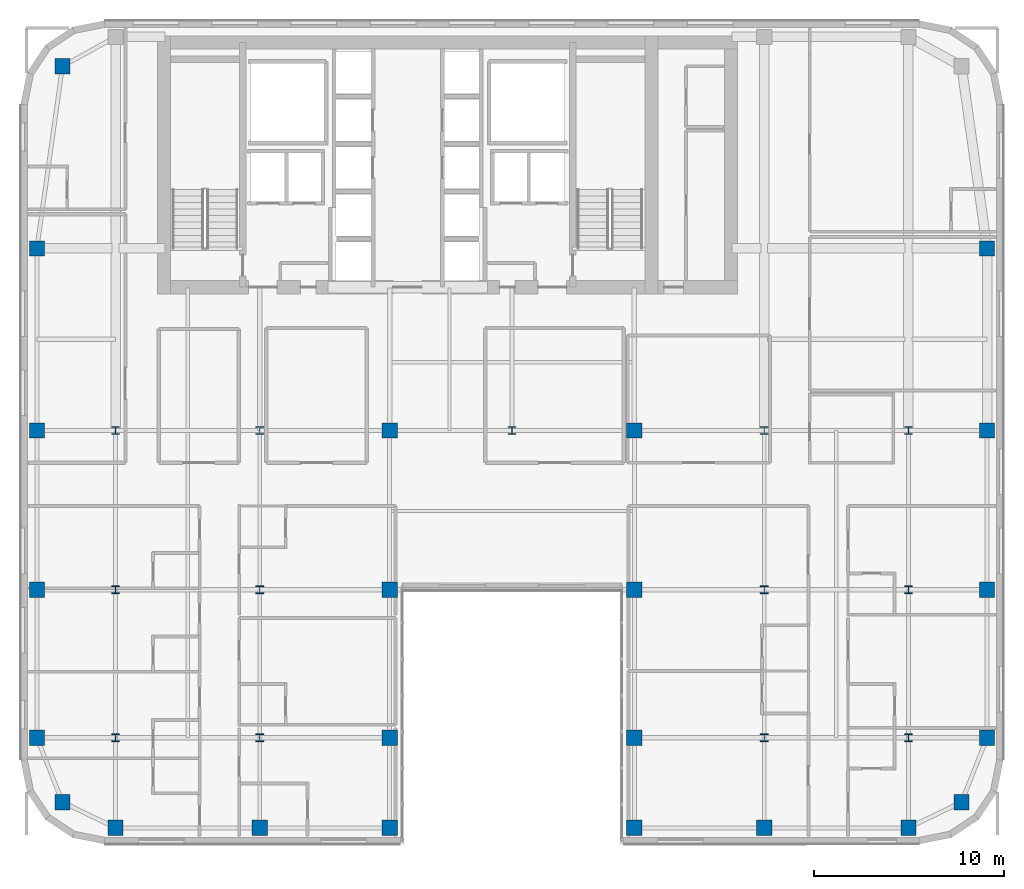
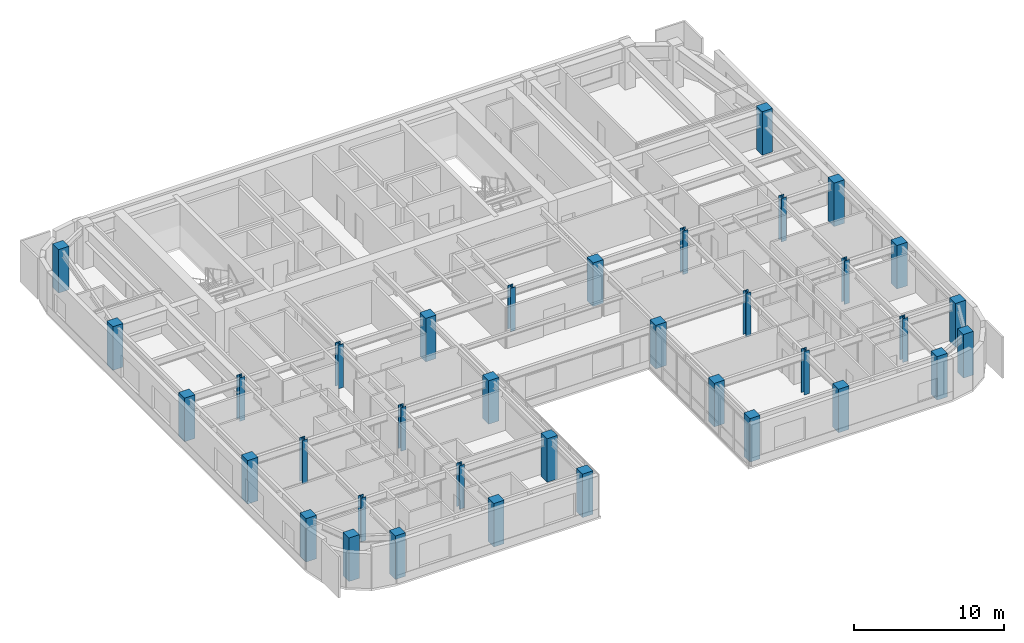
# One storey, part 1 of 20: 36 columns.
"""IFC4 building model written with IfcOpenShell, lengths in metres."""

from ifc_helpers import new_model, si_unit, direction, frame, origin, origin_2d, place, context, subcontext, project, spatial, rectangle, i_section, extrude, source, transform, mapped, material, material_profile, profile_set, type_object, type_shapes, element, save


model = new_model("IFC4")

# Units and contexts
model_context = context("Model", 3, precision=1e-05, world=origin(), true_north=direction((0.0, 1.0)))
body_context = subcontext(model_context, "Body", "Model", "MODEL_VIEW")
ifc_project = project(units=[si_unit("LENGTHUNIT", "METRE"), si_unit("AREAUNIT", "SQUARE_METRE"), si_unit("VOLUMEUNIT", "CUBIC_METRE"), si_unit("PLANEANGLEUNIT", "RADIAN"), si_unit("MASSUNIT", "GRAM", prefix="KILO")], contexts=[model_context])

# Site, building, storey
site_placement = place(None, origin())
site = spatial("IfcSite", under=ifc_project, at=site_placement, CompositionType="ELEMENT")
building_placement = place(site_placement, origin())
building = spatial("IfcBuilding", under=site, at=building_placement, Name="Tolvann Quenvar Hotel", CompositionType="ELEMENT")
storey_placement = place(building_placement, frame((0.0, 0.0, 191.10009765625)))
storey = spatial("IfcBuildingStorey", under=building, at=storey_placement, Name="L50", CompositionType="ELEMENT", Elevation=191.10009765625)

# Columns
ifc_material_1 = material(Name="Concrete N50 (50 MPa)", Category="concrete")
ifc_material_profile_1 = material_profile(ifc_material_1, rectangle(XDim=0.800048828125, YDim=0.800048828125, at=origin_2d()), Name="RC800x800")
ifc_profile_set_1 = profile_set([ifc_material_profile_1], Name="Concrete N50 (50 MPa)")
column_type_1 = type_object("IfcColumnType", Name="COL_RC800", PredefinedType="COLUMN", material=ifc_profile_set_1)
shared_shape_1 = source(origin(), body_context, "Body", "SweptSolid", [
    extrude(rectangle(XDim=0.800048828125, YDim=0.800048828125, at=origin_2d()), origin(), (0.0, 0.0, 1.0), 3.5498046875),
])
type_shapes(column_type_1, [shared_shape_1])
for number, where, z_axis, x_axis, name in (
    (1, (4.800048828125, 4.800048828125, 0.0), (0.0, 0.0, 1.0), (1.0, 0.0, 0.0), "Column B2 (L50)"),
    (2, (3.449951171875, 8.199951171875, 0.0), (0.0, 0.0, 1.0), (1.0, 0.0, 0.0), "Column B3 (L50)"),
    (3, (3.449951171875, 16.0, 0.0), (0.0, 0.0, 1.0), (1.0, 0.0, 0.0), "Column B4 (L50)"),
    (4, (3.449951171875, 24.39990234375, 0.0), (0.0, 0.0, 1.0), (1.0, 0.0, 0.0), "Column B5 (L50)"),
    (5, (7.60009765625, 3.449951171875, 0.0), (0.0, 0.0, 1.0), (1.0, 0.0, 0.0), "Column C2 (L50)"),
    (6, (15.199951171875, 3.449951171875, 0.0), (0.0, 0.0, 1.0), (1.0, 0.0, 0.0), "Column D2 (L50)"),
    (7, (22.050048828125, 3.449951171875, 0.0), (0.0, 0.0, 1.0), (1.0, 0.0, 0.0), "Column E2 (L50)"),
    (8, (22.050048828125, 8.199951171875, 0.0), (0.0, 0.0, 1.0), (1.0, 0.0, 0.0), "Column E3 (L50)"),
    (9, (22.050048828125, 16.0, 0.0), (0.0, 0.0, 1.0), (1.0, 0.0, 0.0), "Column E4 (L50)"),
    (10, (22.050048828125, 24.39990234375, 0.0), (0.0, 0.0, 1.0), (1.0, 0.0, 0.0), "Column E5 (L50)"),
    (11, (34.949951171875, 3.449951171875, 0.0), (0.0, 0.0, 1.0), (1.0, 0.0, 0.0), "Column F2 (L50)"),
    (12, (34.949951171875, 8.199951171875, 0.0), (0.0, 0.0, 1.0), (1.0, 0.0, 0.0), "Column F3 (L50)"),
    (13, (34.949951171875, 16.0, 0.0), (0.0, 0.0, 1.0), (1.0, 0.0, 0.0), "Column F4 (L50)"),
    (14, (34.949951171875, 24.39990234375, 0.0), (0.0, 0.0, 1.0), (1.0, 0.0, 0.0), "Column F5 (L50)"),
    (15, (41.800048828125, 3.449951171875, 0.0), (0.0, 0.0, 1.0), (1.0, 0.0, 0.0), "Column H2 (L50)"),
    (16, (49.39990234375, 3.449951171875, 0.0), (0.0, 0.0, 1.0), (1.0, 0.0, 0.0), "Column I2 (L50)"),
    (17, (52.199951171875, 4.800048828125, 0.0), (0.0, 0.0, 1.0), (1.0, 0.0, 0.0), "Column J2 (L50)"),
    (18, (53.550048828125, 8.199951171875, 0.0), (0.0, 0.0, 1.0), (1.0, 0.0, 0.0), "Column J3 (L50)"),
    (19, (53.550048828125, 16.0, 0.0), (0.0, 0.0, 1.0), (1.0, 0.0, 0.0), "Column J4 (L50)"),
    (20, (53.550048828125, 24.39990234375, 0.0), (0.0, 0.0, 1.0), (1.0, 0.0, 0.0), "Column J5 (L50)"),
    (21, (4.800048828125, 43.60009765625, 0.0), (0.0, 0.0, 1.0), (1.0, 0.0, 0.0), "Column BN (L50)"),
    (22, (3.449951171875, 34.0, 0.0), (0.0, 0.0, 1.0), (1.0, 0.0, 0.0), "Column BD6 (L50)"),
    (23, (53.550048828125, 34.0, 0.0), (0.0, 0.0, 1.0), (1.0, 0.0, 0.0), "Column JD6 (L50)"),
):
    element("IfcColumn", number, at=place(storey_placement, frame(where, z_axis=z_axis, x_axis=x_axis)), inside=storey, type_object=column_type_1, Name=name, PredefinedType="COLUMN", context=body_context, shape_type="MappedRepresentation", body=[
        mapped(shared_shape_1, transform((0.0, 0.0, 0.0), x_axis=(1.0, 0.0, 0.0), y_axis=(0.0, 1.0, 0.0), z_axis=(0.0, 0.0, 1.0), scale=1.0)),
    ])
ifc_material_2 = material(Name="Steel Grade 350", Category="steel")
ifc_material_profile_2 = material_profile(ifc_material_2, i_section(OverallWidth=0.39990234375, OverallDepth=0.39990234375, WebThickness=0.02001953125, FlangeThickness=0.034912109375, at=origin_2d()), Name="400WC270")
ifc_profile_set_2 = profile_set([ifc_material_profile_2], Name="Steel Grade 350")
column_type_2 = type_object("IfcColumnType", Name="COL_400WC270", PredefinedType="COLUMN", material=ifc_profile_set_2)
shared_shape_2 = source(origin(), body_context, "Body", "SweptSolid", [
    extrude(i_section(OverallWidth=0.39990234375, OverallDepth=0.39990234375, WebThickness=0.02001953125, FlangeThickness=0.034912109375, at=origin_2d()), origin(), (0.0, 0.0, 1.0), 3.5498046875),
])
type_shapes(column_type_2, [shared_shape_2])
for number, where, z_axis, x_axis, name in (
    (24, (7.60009765625, 8.199951171875, 0.0), (0.0, 0.0, 1.0), (1.0, 0.0, 0.0), "Column C3 (L50)"),
    (25, (7.60009765625, 16.0, 0.0), (0.0, 0.0, 1.0), (1.0, 0.0, 0.0), "Column C4 (L50)"),
    (26, (7.60009765625, 24.39990234375, 0.0), (0.0, 0.0, 1.0), (1.0, 0.0, 0.0), "Column C5 (L50)"),
    (27, (15.199951171875, 8.199951171875, 0.0), (0.0, 0.0, 1.0), (1.0, 0.0, 0.0), "Column D3 (L50)"),
    (28, (15.199951171875, 16.0, 0.0), (0.0, 0.0, 1.0), (1.0, 0.0, 0.0), "Column D4 (L50)"),
    (29, (15.199951171875, 24.39990234375, 0.0), (0.0, 0.0, 1.0), (1.0, 0.0, 0.0), "Column D5 (L50)"),
    (30, (41.800048828125, 8.199951171875, 0.0), (0.0, 0.0, 1.0), (1.0, 0.0, 0.0), "Column H3 (L50)"),
    (31, (41.800048828125, 16.0, 0.0), (0.0, 0.0, 1.0), (1.0, 0.0, 0.0), "Column H4 (L50)"),
    (32, (41.800048828125, 24.39990234375, 0.0), (0.0, 0.0, 1.0), (1.0, 0.0, 0.0), "Column H5 (L50)"),
    (33, (49.39990234375, 8.199951171875, 0.0), (0.0, 0.0, 1.0), (1.0, 0.0, 0.0), "Column I3 (L50)"),
    (34, (49.39990234375, 16.0, 0.0), (0.0, 0.0, 1.0), (1.0, 0.0, 0.0), "Column I4 (L50)"),
    (35, (49.39990234375, 24.39990234375, 0.0), (0.0, 0.0, 1.0), (1.0, 0.0, 0.0), "Column I5 (L50)"),
    (36, (28.5, 24.39990234375, 0.0), (0.0, 0.0, 1.0), (1.0, 0.0, 0.0), "Column M5 (L50)"),
):
    element("IfcColumn", number, at=place(storey_placement, frame(where, z_axis=z_axis, x_axis=x_axis)), inside=storey, type_object=column_type_2, Name=name, PredefinedType="COLUMN", context=body_context, shape_type="MappedRepresentation", body=[
        mapped(shared_shape_2, transform((0.0, 0.0, 0.0), x_axis=(1.0, 0.0, 0.0), y_axis=(0.0, 1.0, 0.0), z_axis=(0.0, 0.0, 1.0), scale=1.0)),
    ])

save(model, "model.ifc")
